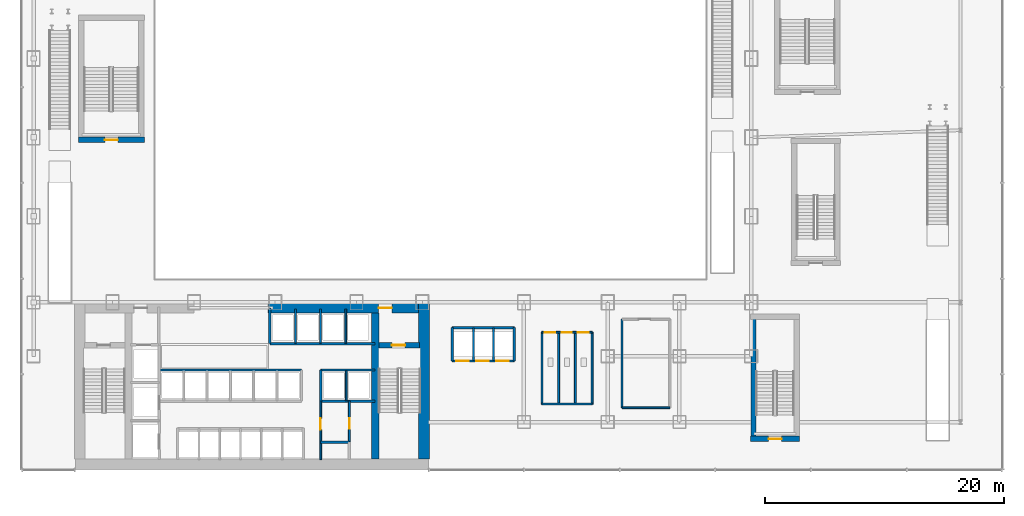
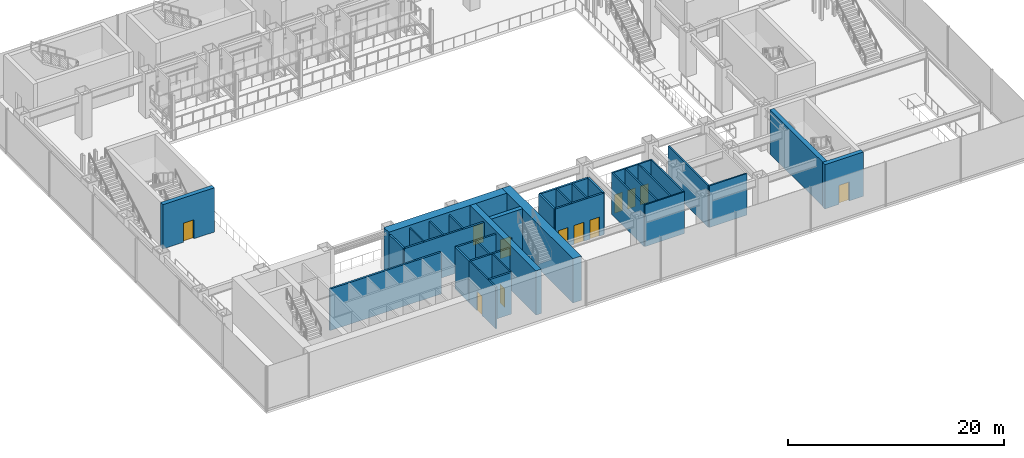
# One storey, part 29 of 40: 34 walls, 12 doors, 12 openings.
"""IFC4 building model written with IfcOpenShell, lengths in metres."""

from ifc_helpers import new_model, si_unit, derived_unit, direction, frame, frame_2d, origin, place, context, subcontext, project, spatial, rectangle, extrude, source, transform, mapped, material, layer, layer_set, type_object, element, fill, save


model = new_model("IFC4")

# Units and contexts
model_context = context("Model", 3, precision=1e-05, world=origin(), true_north=direction((0.0, 1.0)))
body_context = subcontext(model_context, "Body", "Model", "MODEL_VIEW")
ifc_project = project(units=[si_unit("LENGTHUNIT", "METRE"), si_unit("AREAUNIT", "SQUARE_METRE"), si_unit("VOLUMEUNIT", "CUBIC_METRE"), si_unit("PLANEANGLEUNIT", "RADIAN"), si_unit("MASSUNIT", "GRAM", prefix="KILO"), derived_unit("THERMALTRANSMITTANCEUNIT", [(si_unit("POWERUNIT", "WATT"), 1), (si_unit("LENGTHUNIT", "METRE"), -2), (si_unit("THERMODYNAMICTEMPERATUREUNIT", "KELVIN"), -1)])], contexts=[model_context])

# Site, building, storey
site_placement = place(None, origin())
site = spatial("IfcSite", under=ifc_project, at=site_placement, CompositionType="ELEMENT")
building_placement = place(site_placement, origin())
building = spatial("IfcBuilding", under=site, at=building_placement, Name="Skarnbrae Concourse Arena and Tower", CompositionType="ELEMENT")
storey_placement = place(building_placement, frame((0.0, 0.0, 6.0)))
storey = spatial("IfcBuildingStorey", under=building, at=storey_placement, Name="L01", CompositionType="ELEMENT", Elevation=6.0)

# Walls
ifc_material_1 = material(Name="Concrete 70 MPa (C70/85)", Category="concrete")
ifc_layer_1 = layer(ifc_material_1, 0.89990234375)
ifc_layer_set_1 = layer_set([ifc_layer_1], Name="Concrete 70 MPa (C70/85)")
wall_type_1 = type_object("IfcWallType", Name="WALL-CORE-900-C70", PredefinedType="SHEAR", material=ifc_layer_set_1)
shared_shape_1 = source(origin(), body_context, "Body", "SweptSolid", [
    extrude(rectangle(XDim=13.10009765625, YDim=0.89990234375, at=frame_2d((6.550048828125, 0.0))), origin(), (0.0, 0.0, 1.0), 5.0),
])
wall_1_placement = place(storey_placement, frame((33.64990234375, 0.89990234375, 0.0), z_axis=(0.0, 0.0, 1.0), x_axis=(0.0, 1.0, 0.0)))
element("IfcWall", 1, at=wall_1_placement, inside=storey, type_object=wall_type_1, Name="L01 Rear core shear wall CW-E", PredefinedType="SHEAR", context=body_context, shape_type="MappedRepresentation", body=[
    mapped(shared_shape_1, transform((0.0, 0.0, 0.0))),
])
ifc_layer_2 = layer(ifc_material_1, 0.60009765625)
ifc_layer_set_2 = layer_set([ifc_layer_2], Name="Concrete 70 MPa (C70/85)")
wall_type_2 = type_object("IfcWallType", Name="WALL-CORE-600-C70", PredefinedType="SHEAR", material=ifc_layer_set_2)
shared_shape_2 = source(origin(), body_context, "Body", "SweptSolid", [
    extrude(rectangle(XDim=12.2001953125, YDim=0.60009765625, at=frame_2d((6.10009765625, 0.0))), origin(), (0.0, 0.0, 1.0), 5.0),
])
wall_2_placement = place(storey_placement, frame((29.56005859375, 0.89990234375, 0.0), z_axis=(0.0, 0.0, 1.0), x_axis=(0.0, 1.0, 0.0)))
element("IfcWall", 2, at=wall_2_placement, inside=storey, type_object=wall_type_2, Name="L01 Rear core shear wall CW-WEB-E", PredefinedType="SHEAR", context=body_context, shape_type="MappedRepresentation", body=[
    mapped(shared_shape_2, transform((0.0, 0.0, 0.0))),
])

# Wall, opening, door
shared_shape_3 = source(origin(), body_context, "Body", "SweptSolid", [
    extrude(rectangle(XDim=12.599853515625, YDim=0.89990234375, at=frame_2d((6.2998046875, 0.0))), origin(), (0.0, 0.0, 1.0), 5.0),
])
wall_3_placement = place(storey_placement, frame((20.60009765625, 13.550048828125, 0.0), z_axis=(0.0, 0.0, 1.0), x_axis=(1.0, 0.0, 0.0)))
wall_3 = element("IfcWall", 3, at=wall_3_placement, inside=storey, type_object=wall_type_1, Name="L01 Rear core shear wall CW-NE", PredefinedType="SHEAR", context=body_context, shape_type="MappedRepresentation", body=[
    mapped(shared_shape_3, transform((0.0, 0.0, 0.0))),
])
opening_1_placement = place(wall_3_placement, frame((9.25, 0.0, 0.0)))
opening_1 = element("IfcOpeningElement", 4, at=opening_1_placement, cuts=wall_3, Name="Opening DT-03", PredefinedType="OPENING", context=body_context, shape_type="SweptSolid", body=[
    extrude(rectangle(XDim=1.10009765625, YDim=2.14990234375, at=frame_2d((0.550048828125, 1.074951171875))), frame((0.0, 0.4599609375, 0.0), z_axis=(0.0, -1.0, 0.0), x_axis=(1.0, 0.0, 0.0)), (0.0, 0.0, 1.0), 0.919921875),
])
ifc_material_2 = material(Name="Steel CSA G40.21 350W", Category="steel")
door_type_1 = type_object("IfcDoorType", Name="DOOR-FIRE-1100-90M", OperationType="NOTDEFINED", PredefinedType="DOOR", material=ifc_material_2)
shared_shape_4 = source(origin(), body_context, "Body", "SweptSolid", [
    extrude(rectangle(XDim=1.10009765625, YDim=2.14990234375, at=frame_2d((0.550048828125, 1.074951171875))), frame((0.0, 0.02490234375, 0.0), z_axis=(0.0, -1.0, 0.0), x_axis=(1.0, 0.0, 0.0)), (0.0, 0.0, 1.0), 0.050048828125),
])
door_1_placement = place(opening_1_placement, origin())
door_1 = element("IfcDoor", 5, at=door_1_placement, inside=storey, type_object=door_type_1, Name="D-0202 Stair ST-2 Vestibule Door", OperationType="SINGLE_SWING_LEFT", OverallHeight=2.14990234375, OverallWidth=1.10009765625, PredefinedType="DOOR", context=body_context, shape_type="MappedRepresentation", body=[
    mapped(shared_shape_4, transform((0.0, 0.0, 0.0))),
])
fill(opening_1, door_1)

ifc_material_3 = material(Name="Concrete 50 MPa (C50/60)", Category="concrete")
ifc_layer_3 = layer(ifc_material_3, 0.449951171875)
ifc_layer_set_3 = layer_set([ifc_layer_3], Name="Concrete 50 MPa (C50/60)")
wall_type_3 = type_object("IfcWallType", Name="WALL-CORE-450-C50", PredefinedType="SHEAR", material=ifc_layer_set_3)
shared_shape_5 = source(origin(), body_context, "Body", "SweptSolid", [
    extrude(rectangle(XDim=3.389892578125, YDim=0.449951171875, at=frame_2d((1.69482421875, 0.0))), origin(), (0.0, 0.0, 1.0), 5.0),
])
wall_4_placement = place(storey_placement, frame((29.860107421875, 10.419921875, 0.0), z_axis=(0.0, 0.0, 1.0), x_axis=(1.0, 0.0, 0.0)))
wall_4 = element("IfcWall", 6, at=wall_4_placement, inside=storey, type_object=wall_type_3, Name="L01 Rear core shear wall CW-ST2-N", PredefinedType="SHEAR", context=body_context, shape_type="MappedRepresentation", body=[
    mapped(shared_shape_5, transform((0.0, 0.0, 0.0))),
])
opening_2_placement = place(wall_4_placement, frame((1.10009765625, 0.0, 0.0)))
opening_2 = element("IfcOpeningElement", 7, at=opening_2_placement, cuts=wall_4, Name="Opening DT-03", PredefinedType="OPENING", context=body_context, shape_type="SweptSolid", body=[
    extrude(rectangle(XDim=1.10009765625, YDim=2.14990234375, at=frame_2d((0.550048828125, 1.074951171875))), frame((0.0, 0.23486328125, 0.0), z_axis=(0.0, -1.0, 0.0), x_axis=(1.0, 0.0, 0.0)), (0.0, 0.0, 1.0), 0.469970703125),
])
door_2_placement = place(opening_2_placement, frame((1.10009765625, 0.0, 0.0), z_axis=(0.0, 0.0, 1.0), x_axis=(-1.0, 0.0, 0.0)))
door_2 = element("IfcDoor", 8, at=door_2_placement, inside=storey, type_object=door_type_1, Name="D-0200 Stair ST-2 Door", OperationType="SINGLE_SWING_RIGHT", OverallHeight=2.14990234375, OverallWidth=1.10009765625, PredefinedType="DOOR", context=body_context, shape_type="MappedRepresentation", body=[
    mapped(shared_shape_4, transform((0.0, 0.0, 0.0))),
])
fill(opening_2, door_2)

shared_shape_6 = source(origin(), body_context, "Body", "SweptSolid", [
    extrude(rectangle(XDim=4.10009765625, YDim=0.449951171875, at=frame_2d((2.050048828125, 0.0))), origin(), (0.0, 0.0, 1.0), 5.0),
])
wall_5_placement = place(storey_placement, frame((60.949951171875, 2.594970703125, 0.0), z_axis=(0.0, 0.0, 1.0), x_axis=(1.0, 0.0, 0.0)))
wall_5 = element("IfcWall", 9, at=wall_5_placement, inside=storey, type_object=wall_type_3, Name="L01 Protected stair shaft wall ST-A1-S", PredefinedType="SHEAR", context=body_context, shape_type="MappedRepresentation", body=[
    mapped(shared_shape_6, transform((0.0, 0.0, 0.0))),
])
opening_3_placement = place(wall_5_placement, frame((1.5, 0.0, 0.0)))
opening_3 = element("IfcOpeningElement", 10, at=opening_3_placement, cuts=wall_5, Name="Opening DT-03", PredefinedType="OPENING", context=body_context, shape_type="SweptSolid", body=[
    extrude(rectangle(XDim=1.10009765625, YDim=2.14990234375, at=frame_2d((0.550048828125, 1.074951171875))), frame((0.0, 0.23486328125, 0.0), z_axis=(0.0, -1.0, 0.0), x_axis=(1.0, 0.0, 0.0)), (0.0, 0.0, 1.0), 0.469970703125),
])
door_3_placement = place(opening_3_placement, origin())
door_3 = element("IfcDoor", 11, at=door_3_placement, inside=storey, type_object=door_type_1, Name="D-0219 Exit Stair ST-A1 Door", OperationType="SINGLE_SWING_RIGHT", OverallHeight=2.14990234375, OverallWidth=1.10009765625, PredefinedType="DOOR", context=body_context, shape_type="MappedRepresentation", body=[
    mapped(shared_shape_4, transform((0.0, 0.0, 0.0))),
])
fill(opening_3, door_3)

# Wall
shared_shape_7 = source(origin(), body_context, "Body", "SweptSolid", [
    extrude(rectangle(XDim=9.800048828125, YDim=0.449951171875, at=frame_2d((4.89990234375, 0.0))), origin(), (0.0, 0.0, 1.0), 5.0),
])
wall_6_placement = place(storey_placement, frame((61.195068359375, 2.800048828125, 0.0), z_axis=(0.0, 0.0, 1.0), x_axis=(0.0, 1.0, 0.0)))
element("IfcWall", 12, at=wall_6_placement, inside=storey, type_object=wall_type_3, Name="L01 Protected stair shaft wall ST-A1-W", PredefinedType="SHEAR", context=body_context, shape_type="MappedRepresentation", body=[
    mapped(shared_shape_7, transform((0.0, 0.0, 0.0))),
])

# Wall, opening, door
shared_shape_8 = source(origin(), body_context, "Body", "SweptSolid", [
    extrude(rectangle(XDim=5.5, YDim=0.449951171875, at=frame_2d((2.75, 0.0))), origin(), (0.0, 0.0, 1.0), 5.0),
])
wall_7_placement = place(storey_placement, frame((4.75, 27.594970703125, 0.0), z_axis=(0.0, 0.0, 1.0), x_axis=(1.0, 0.0, 0.0)))
wall_7 = element("IfcWall", 13, at=wall_7_placement, inside=storey, type_object=wall_type_3, Name="L01 Protected stair shaft wall ST-A3-S", PredefinedType="SHEAR", context=body_context, shape_type="MappedRepresentation", body=[
    mapped(shared_shape_8, transform((0.0, 0.0, 0.0))),
])
opening_4_placement = place(wall_7_placement, frame((2.199951171875, 0.0, 0.0)))
opening_4 = element("IfcOpeningElement", 14, at=opening_4_placement, cuts=wall_7, Name="Opening DT-03", PredefinedType="OPENING", context=body_context, shape_type="SweptSolid", body=[
    extrude(rectangle(XDim=1.10009765625, YDim=2.14990234375, at=frame_2d((0.550048828125, 1.074951171875))), frame((0.0, 0.23486328125, 0.0), z_axis=(0.0, -1.0, 0.0), x_axis=(1.0, 0.0, 0.0)), (0.0, 0.0, 1.0), 0.469970703125),
])
door_4_placement = place(opening_4_placement, origin())
door_4 = element("IfcDoor", 15, at=door_4_placement, inside=storey, type_object=door_type_1, Name="D-0221 Exit Stair ST-A3 Door", OperationType="SINGLE_SWING_RIGHT", OverallHeight=2.14990234375, OverallWidth=1.10009765625, PredefinedType="DOOR", context=body_context, shape_type="MappedRepresentation", body=[
    mapped(shared_shape_4, transform((0.0, 0.0, 0.0))),
])
fill(opening_4, door_4)

# Walls
ifc_material_4 = material(Name="Gypsum board on cold-formed steel studs", Category="steel")
ifc_layer_4 = layer(ifc_material_4, 0.199951171875)
ifc_layer_set_4 = layer_set([ifc_layer_4], Name="Gypsum board on cold-formed steel studs")
wall_type_4 = type_object("IfcWallType", Name="WALL-PART-200-2HR", PredefinedType="PARTITIONING", material=ifc_layer_set_4)
shared_shape_9 = source(origin(), body_context, "Body", "SweptSolid", [
    extrude(rectangle(XDim=11.849853515625, YDim=0.199951171875, at=frame_2d((5.9248046875, 0.0))), origin(), (0.0, 0.0, 1.0), 4.699951171875),
])
wall_8_placement = place(storey_placement, frame((11.550048828125, 8.35009765625, 0.0), z_axis=(0.0, 0.0, 1.0), x_axis=(1.0, 0.0, 0.0)))
element("IfcWall", 16, at=wall_8_placement, inside=storey, type_object=wall_type_4, Name="L01 Interior partition wall W-L01-B2-N", PredefinedType="PARTITIONING", context=body_context, shape_type="MappedRepresentation", body=[
    mapped(shared_shape_9, transform((0.0, 0.0, 0.0))),
])
shared_shape_10 = source(origin(), body_context, "Body", "SweptSolid", [
    extrude(rectangle(XDim=2.60009765625, YDim=0.199951171875, at=frame_2d((1.300048828125, 0.0))), origin(), (0.0, 0.0, 1.0), 4.699951171875),
])
wall_9_placement = place(storey_placement, frame((25.0, 5.75, 0.0), z_axis=(0.0, 0.0, 1.0), x_axis=(0.0, 1.0, 0.0)))
element("IfcWall", 17, at=wall_9_placement, inside=storey, type_object=wall_type_4, Name="L01 Interior partition wall W-L01-B3S-W", PredefinedType="PARTITIONING", context=body_context, shape_type="MappedRepresentation", body=[
    mapped(shared_shape_10, transform((0.0, 0.0, 0.0))),
])

# Wall, opening, door
ifc_layer_5 = layer(ifc_material_4, 0.14990234375)
ifc_layer_set_5 = layer_set([ifc_layer_5], Name="Gypsum board on cold-formed steel studs")
wall_type_5 = type_object("IfcWallType", Name="WALL-PART-150-1HR", PredefinedType="PARTITIONING", material=ifc_layer_set_5)
shared_shape_11 = source(origin(), body_context, "Body", "SweptSolid", [
    extrude(rectangle(XDim=4.89990234375, YDim=0.14990234375, at=frame_2d((2.449951171875, 0.0))), origin(), (0.0, 0.0, 1.0), 4.699951171875),
])
wall_10_placement = place(storey_placement, frame((25.0, 0.85009765625, 0.0), z_axis=(0.0, 0.0, 1.0), x_axis=(0.0, 1.0, 0.0)))
wall_10 = element("IfcWall", 18, at=wall_10_placement, inside=storey, type_object=wall_type_5, Name="L01 Interior partition wall W-L01-CSV-W", PredefinedType="PARTITIONING", context=body_context, shape_type="MappedRepresentation", body=[
    mapped(shared_shape_11, transform((0.0, 0.0, 0.0))),
])
opening_5_placement = place(wall_10_placement, frame((2.5, 0.0, 0.0)))
opening_5 = element("IfcOpeningElement", 19, at=opening_5_placement, cuts=wall_10, Name="Opening DT-04", PredefinedType="OPENING", context=body_context, shape_type="SweptSolid", body=[
    extrude(rectangle(XDim=0.949951171875, YDim=2.14990234375, at=frame_2d((0.47509765625, 1.074951171875))), frame((0.0, 0.0849609375, 0.0), z_axis=(0.0, -1.0, 0.0), x_axis=(1.0, 0.0, 0.0)), (0.0, 0.0, 1.0), 0.169921875),
])
door_type_2 = type_object("IfcDoorType", Name="DOOR-INT-950-45M", OperationType="NOTDEFINED", PredefinedType="DOOR", material=ifc_material_2)
shared_shape_12 = source(origin(), body_context, "Body", "SweptSolid", [
    extrude(rectangle(XDim=0.949951171875, YDim=2.14990234375, at=frame_2d((0.47509765625, 1.074951171875))), frame((0.0, 0.02490234375, 0.0), z_axis=(0.0, -1.0, 0.0), x_axis=(1.0, 0.0, 0.0)), (0.0, 0.0, 1.0), 0.050048828125),
])
door_5_placement = place(opening_5_placement, origin())
door_5 = element("IfcDoor", 20, at=door_5_placement, inside=storey, type_object=door_type_2, Name="D-0206 Core Pantry Door", OperationType="SINGLE_SWING_RIGHT", OverallHeight=2.14990234375, OverallWidth=0.949951171875, PredefinedType="DOOR", context=body_context, shape_type="MappedRepresentation", body=[
    mapped(shared_shape_12, transform((0.0, 0.0, 0.0))),
])
fill(opening_5, door_5)

# Wall
shared_shape_13 = source(origin(), body_context, "Body", "SweptSolid", [
    extrude(rectangle(XDim=2.39990234375, YDim=0.199951171875, at=frame_2d((1.199951171875, 0.0))), origin(), (0.0, 0.0, 1.0), 4.699951171875),
])
wall_11_placement = place(storey_placement, frame((25.0, 2.300048828125, 0.0), z_axis=(0.0, 0.0, 1.0), x_axis=(1.0, 0.0, 0.0)))
element("IfcWall", 21, at=wall_11_placement, inside=storey, type_object=wall_type_4, Name="L01 Interior partition wall W-L01-MEP-N", PredefinedType="PARTITIONING", context=body_context, shape_type="MappedRepresentation", body=[
    mapped(shared_shape_13, transform((0.0, 0.0, 0.0))),
])

# Wall, openings, doors
shared_shape_14 = source(origin(), body_context, "Body", "SweptSolid", [
    extrude(rectangle(XDim=5.199951171875, YDim=0.199951171875, at=frame_2d((2.60009765625, 0.0))), origin(), (0.0, 0.0, 1.0), 4.699951171875),
])
wall_12_placement = place(storey_placement, frame((36.0, 9.10009765625, 0.0), z_axis=(0.0, 0.0, 1.0), x_axis=(1.0, 0.0, 0.0)))
wall_12 = element("IfcWall", 22, at=wall_12_placement, inside=storey, type_object=wall_type_4, Name="L01 Interior partition wall W-L01-PLP-S", PredefinedType="PARTITIONING", context=body_context, shape_type="MappedRepresentation", body=[
    mapped(shared_shape_14, transform((0.0, 0.0, 0.0))),
])
opening_6_placement = place(wall_12_placement, frame((0.320068359375, 0.0, 0.0)))
opening_6 = element("IfcOpeningElement", 23, at=opening_6_placement, cuts=wall_12, Name="Opening LD-03", PredefinedType="OPENING", context=body_context, shape_type="SweptSolid", body=[
    extrude(rectangle(XDim=1.050048828125, YDim=2.14990234375, at=frame_2d((0.52490234375, 1.074951171875))), frame((0.0, 0.10986328125, 0.0), z_axis=(0.0, -1.0, 0.0), x_axis=(1.0, 0.0, 0.0)), (0.0, 0.0, 1.0), 0.219970703125),
])
opening_7_placement = place(wall_12_placement, frame((2.0, 0.0, 0.0)))
opening_7 = element("IfcOpeningElement", 24, at=opening_7_placement, cuts=wall_12, Name="Opening LD-03", PredefinedType="OPENING", context=body_context, shape_type="SweptSolid", body=[
    extrude(rectangle(XDim=1.050048828125, YDim=2.14990234375, at=frame_2d((0.52490234375, 1.074951171875))), frame((0.0, 0.10986328125, 0.0), z_axis=(0.0, -1.0, 0.0), x_axis=(1.0, 0.0, 0.0)), (0.0, 0.0, 1.0), 0.219970703125),
])
opening_8_placement = place(wall_12_placement, frame((3.679931640625, 0.0, 0.0)))
opening_8 = element("IfcOpeningElement", 25, at=opening_8_placement, cuts=wall_12, Name="Opening LD-03", PredefinedType="OPENING", context=body_context, shape_type="SweptSolid", body=[
    extrude(rectangle(XDim=1.050048828125, YDim=2.14990234375, at=frame_2d((0.52490234375, 1.074951171875))), frame((0.0, 0.10986328125, 0.0), z_axis=(0.0, -1.0, 0.0), x_axis=(1.0, 0.0, 0.0)), (0.0, 0.0, 1.0), 0.219970703125),
])
ifc_material_5 = material(Name="Bronze anodised aluminium 6063-T6", Category="aluminium")
door_type_3 = type_object("IfcDoorType", Name="DOOR-LIFT-SLIDE-1050", OperationType="SLIDING_TO_LEFT", PredefinedType="DOOR", material=ifc_material_5)
shared_shape_15 = source(origin(), body_context, "Body", "SweptSolid", [
    extrude(rectangle(XDim=1.050048828125, YDim=2.14990234375, at=frame_2d((0.52490234375, 1.074951171875))), frame((0.0, 0.02490234375, 0.0), z_axis=(0.0, -1.0, 0.0), x_axis=(1.0, 0.0, 0.0)), (0.0, 0.0, 1.0), 0.050048828125),
])
door_6_placement = place(opening_6_placement, frame((1.050048828125, 0.0, 0.0), z_axis=(0.0, 0.0, 1.0), x_axis=(-1.0, 0.0, 0.0)))
door_6 = element("IfcDoor", 26, at=door_6_placement, inside=storey, type_object=door_type_3, Name="D-0208 Transit Lift Landing Door PL-P1", OperationType="SLIDING_TO_LEFT", OverallHeight=2.14990234375, OverallWidth=1.050048828125, PredefinedType="DOOR", context=body_context, shape_type="MappedRepresentation", body=[
    mapped(shared_shape_15, transform((0.0, 0.0, 0.0))),
])
fill(opening_6, door_6)
door_7_placement = place(opening_7_placement, frame((1.050048828125, 0.0, 0.0), z_axis=(0.0, 0.0, 1.0), x_axis=(-1.0, 0.0, 0.0)))
door_7 = element("IfcDoor", 27, at=door_7_placement, inside=storey, type_object=door_type_3, Name="D-0209 Transit Lift Landing Door PL-P2", OperationType="SLIDING_TO_LEFT", OverallHeight=2.14990234375, OverallWidth=1.050048828125, PredefinedType="DOOR", context=body_context, shape_type="MappedRepresentation", body=[
    mapped(shared_shape_15, transform((0.0, 0.0, 0.0))),
])
fill(opening_7, door_7)
door_8_placement = place(opening_8_placement, frame((1.050048828125, 0.0, 0.0), z_axis=(0.0, 0.0, 1.0), x_axis=(-1.0, 0.0, 0.0)))
door_8 = element("IfcDoor", 28, at=door_8_placement, inside=storey, type_object=door_type_3, Name="D-0210 Transit Lift Landing Door PL-P3", OperationType="SLIDING_TO_LEFT", OverallHeight=2.14990234375, OverallWidth=1.050048828125, PredefinedType="DOOR", context=body_context, shape_type="MappedRepresentation", body=[
    mapped(shared_shape_15, transform((0.0, 0.0, 0.0))),
])
fill(opening_8, door_8)

# Walls
wall_13_placement = place(storey_placement, frame((36.0, 11.89990234375, 0.0), z_axis=(0.0, 0.0, 1.0), x_axis=(1.0, 0.0, 0.0)))
element("IfcWall", 29, at=wall_13_placement, inside=storey, type_object=wall_type_4, Name="L01 Interior partition wall W-L01-PLP-N", PredefinedType="PARTITIONING", context=body_context, shape_type="MappedRepresentation", body=[
    mapped(shared_shape_14, transform((0.0, 0.0, 0.0))),
])
shared_shape_16 = source(origin(), body_context, "Body", "SweptSolid", [
    extrude(rectangle(XDim=2.7998046875, YDim=0.199951171875, at=frame_2d((1.39990234375, 0.0))), origin(), (0.0, 0.0, 1.0), 4.699951171875),
])
for number, where, z_axis, x_axis, name in (
    (30, (36.0, 9.10009765625, 0.0), (0.0, 0.0, 1.0), (0.0, 1.0, 0.0), "L01 Interior partition wall W-L01-PLP-W"),
    (31, (41.199951171875, 9.10009765625, 0.0), (0.0, 0.0, 1.0), (0.0, 1.0, 0.0), "L01 Interior partition wall W-L01-PLP-E"),
):
    element("IfcWall", number, at=place(storey_placement, frame(where, z_axis=z_axis, x_axis=x_axis)), inside=storey, type_object=wall_type_4, Name=name, PredefinedType="PARTITIONING", context=body_context, shape_type="MappedRepresentation", body=[
        mapped(shared_shape_16, transform((0.0, 0.0, 0.0))),
    ])
ifc_layer_6 = layer(ifc_material_4, 0.14990234375)
ifc_layer_set_6 = layer_set([ifc_layer_6], Name="Gypsum board on cold-formed steel studs")
wall_type_6 = type_object("IfcWallType", Name="WALL-PART-150", PredefinedType="PARTITIONING", material=ifc_layer_set_6)
shared_shape_17 = source(origin(), body_context, "Body", "SweptSolid", [
    extrude(rectangle(XDim=2.7001953125, YDim=0.14990234375, at=frame_2d((1.35009765625, 0.0))), origin(), (0.0, 0.0, 1.0), 4.699951171875),
])
for number, where, z_axis, x_axis, name in (
    (32, (37.780029296875, 9.14990234375, 0.0), (0.0, 0.0, 1.0), (0.0, 1.0, 0.0), "L01 Interior partition wall W-L01-PLP-D1"),
    (33, (39.4599609375, 9.14990234375, 0.0), (0.0, 0.0, 1.0), (0.0, 1.0, 0.0), "L01 Interior partition wall W-L01-PLP-D2"),
):
    element("IfcWall", number, at=place(storey_placement, frame(where, z_axis=z_axis, x_axis=x_axis)), inside=storey, type_object=wall_type_6, Name=name, PredefinedType="PARTITIONING", context=body_context, shape_type="MappedRepresentation", body=[
        mapped(shared_shape_17, transform((0.0, 0.0, 0.0))),
    ])
shared_shape_18 = source(origin(), body_context, "Body", "SweptSolid", [
    extrude(rectangle(XDim=2.5, YDim=0.14990234375, at=frame_2d((1.25, 0.0))), origin(), (0.0, 0.0, 1.0), 4.699951171875),
])
wall_14_placement = place(storey_placement, frame((27.139892578125, 5.800048828125, 0.0), z_axis=(0.0, 0.0, 1.0), x_axis=(0.0, 1.0, 0.0)))
element("IfcWall", 34, at=wall_14_placement, inside=storey, type_object=wall_type_6, Name="L01 Interior partition wall W-L01-B3S-P1", PredefinedType="PARTITIONING", context=body_context, shape_type="MappedRepresentation", body=[
    mapped(shared_shape_18, transform((0.0, 0.0, 0.0))),
])
shared_shape_19 = source(origin(), body_context, "Body", "SweptSolid", [
    extrude(rectangle(XDim=8.800048828125, YDim=0.199951171875, at=frame_2d((4.39990234375, 0.0))), origin(), (0.0, 0.0, 1.0), 4.699951171875),
])
wall_15_placement = place(storey_placement, frame((20.75, 10.550048828125, 0.0), z_axis=(0.0, 0.0, 1.0), x_axis=(1.0, 0.0, 0.0)))
element("IfcWall", 35, at=wall_15_placement, inside=storey, type_object=wall_type_4, Name="L01 Interior partition wall W-L01-B3N-S", PredefinedType="PARTITIONING", context=body_context, shape_type="MappedRepresentation", body=[
    mapped(shared_shape_19, transform((0.0, 0.0, 0.0))),
])
shared_shape_20 = source(origin(), body_context, "Body", "SweptSolid", [
    extrude(rectangle(XDim=3.0, YDim=0.199951171875, at=frame_2d((1.5, 0.0))), origin(), (0.0, 0.0, 1.0), 4.699951171875),
])
wall_16_placement = place(storey_placement, frame((20.75, 10.550048828125, 0.0), z_axis=(0.0, 0.0, 1.0), x_axis=(0.0, 1.0, 0.0)))
element("IfcWall", 36, at=wall_16_placement, inside=storey, type_object=wall_type_4, Name="L01 Interior partition wall W-L01-B3N-W", PredefinedType="PARTITIONING", context=body_context, shape_type="MappedRepresentation", body=[
    mapped(shared_shape_20, transform((0.0, 0.0, 0.0))),
])
shared_shape_21 = source(origin(), body_context, "Body", "SweptSolid", [
    extrude(rectangle(XDim=2.849853515625, YDim=0.14990234375, at=frame_2d((1.4248046875, 0.0))), origin(), (0.0, 0.0, 1.0), 4.699951171875),
])
for number, where, z_axis, x_axis, name in (
    (37, (22.889892578125, 10.60009765625, 0.0), (0.0, 0.0, 1.0), (0.0, 1.0, 0.0), "L01 Interior partition wall W-L01-B3N-P1"),
    (38, (24.989990234375, 10.60009765625, 0.0), (0.0, 0.0, 1.0), (0.0, 1.0, 0.0), "L01 Interior partition wall W-L01-B3N-P2"),
    (39, (27.090087890625, 10.60009765625, 0.0), (0.0, 0.0, 1.0), (0.0, 1.0, 0.0), "L01 Interior partition wall W-L01-B3N-P3"),
):
    element("IfcWall", number, at=place(storey_placement, frame(where, z_axis=z_axis, x_axis=x_axis)), inside=storey, type_object=wall_type_6, Name=name, PredefinedType="PARTITIONING", context=body_context, shape_type="MappedRepresentation", body=[
        mapped(shared_shape_21, transform((0.0, 0.0, 0.0))),
    ])
shared_shape_22 = source(origin(), body_context, "Body", "SweptSolid", [
    extrude(rectangle(XDim=4.550048828125, YDim=0.199951171875, at=frame_2d((2.27490234375, 0.0))), origin(), (0.0, 0.0, 1.0), 4.699951171875),
])
for number, where, z_axis, x_axis, name in (
    (40, (25.0, 8.35009765625, 0.0), (0.0, 0.0, 1.0), (1.0, 0.0, 0.0), "L01 Interior partition wall W-L01-B3S-N"),
    (41, (25.0, 5.75, 0.0), (0.0, 0.0, 1.0), (1.0, 0.0, 0.0), "L01 Interior partition wall W-L01-B3S-S"),
):
    element("IfcWall", number, at=place(storey_placement, frame(where, z_axis=z_axis, x_axis=x_axis)), inside=storey, type_object=wall_type_4, Name=name, PredefinedType="PARTITIONING", context=body_context, shape_type="MappedRepresentation", body=[
        mapped(shared_shape_22, transform((0.0, 0.0, 0.0))),
    ])

# Wall, opening, door
shared_shape_23 = source(origin(), body_context, "Body", "SweptSolid", [
    extrude(rectangle(XDim=3.39990234375, YDim=0.14990234375, at=frame_2d((1.699951171875, 0.0))), origin(), (0.0, 0.0, 1.0), 4.699951171875),
])
wall_17_placement = place(storey_placement, frame((27.39990234375, 2.35009765625, 0.0), z_axis=(0.0, 0.0, 1.0), x_axis=(0.0, 1.0, 0.0)))
wall_17 = element("IfcWall", 42, at=wall_17_placement, inside=storey, type_object=wall_type_6, Name="L01 Interior partition wall W-L01-CSV-V", PredefinedType="PARTITIONING", context=body_context, shape_type="MappedRepresentation", body=[
    mapped(shared_shape_23, transform((0.0, 0.0, 0.0))),
])
opening_9_placement = place(wall_17_placement, frame((1.10009765625, 0.0, 0.0)))
opening_9 = element("IfcOpeningElement", 43, at=opening_9_placement, cuts=wall_17, Name="Opening DT-06", PredefinedType="OPENING", context=body_context, shape_type="SweptSolid", body=[
    extrude(rectangle(XDim=0.85009765625, YDim=2.10009765625, at=frame_2d((0.425048828125, 1.050048828125))), frame((0.0, 0.0849609375, 0.0), z_axis=(0.0, -1.0, 0.0), x_axis=(1.0, 0.0, 0.0)), (0.0, 0.0, 1.0), 0.169921875),
])
ifc_material_6 = material(Name="Architectural oak veneer timber leaf", Category="wood")
door_type_4 = type_object("IfcDoorType", Name="DOOR-INT-850", OperationType="NOTDEFINED", PredefinedType="DOOR", material=ifc_material_6)
shared_shape_24 = source(origin(), body_context, "Body", "SweptSolid", [
    extrude(rectangle(XDim=0.85009765625, YDim=2.10009765625, at=frame_2d((0.425048828125, 1.050048828125))), frame((0.0, 0.02490234375, 0.0), z_axis=(0.0, -1.0, 0.0), x_axis=(1.0, 0.0, 0.0)), (0.0, 0.0, 1.0), 0.050048828125),
])
door_9_placement = place(opening_9_placement, frame((0.85009765625, 0.0, 0.0), z_axis=(0.0, 0.0, 1.0), x_axis=(-1.0, 0.0, 0.0)))
door_9 = element("IfcDoor", 44, at=door_9_placement, inside=storey, type_object=door_type_4, Name="D-0207 Supply Cupboard Door", OperationType="SINGLE_SWING_LEFT", OverallHeight=2.10009765625, OverallWidth=0.85009765625, PredefinedType="DOOR", context=body_context, shape_type="MappedRepresentation", body=[
    mapped(shared_shape_24, transform((0.0, 0.0, 0.0))),
])
fill(opening_9, door_9)

# Wall, openings, doors
shared_shape_25 = source(origin(), body_context, "Body", "SweptSolid", [
    extrude(rectangle(XDim=4.199951171875, YDim=0.14990234375, at=frame_2d((2.10009765625, 0.0))), origin(), (0.0, 0.0, 1.0), 4.699951171875),
])
wall_18_placement = place(storey_placement, frame((43.5, 11.5, 0.0), z_axis=(0.0, 0.0, 1.0), x_axis=(1.0, 0.0, 0.0)))
wall_18 = element("IfcWall", 45, at=wall_18_placement, inside=storey, type_object=wall_type_6, Name="L01 Interior partition wall W-L01-PWC-N", PredefinedType="PARTITIONING", context=body_context, shape_type="MappedRepresentation", body=[
    mapped(shared_shape_25, transform((0.0, 0.0, 0.0))),
])
opening_10_placement = place(wall_18_placement, frame((0.25, 0.0, 0.0)))
opening_10 = element("IfcOpeningElement", 46, at=opening_10_placement, cuts=wall_18, Name="Opening DT-06", PredefinedType="OPENING", context=body_context, shape_type="SweptSolid", body=[
    extrude(rectangle(XDim=0.85009765625, YDim=2.10009765625, at=frame_2d((0.425048828125, 1.050048828125))), frame((0.0, 0.0849609375, 0.0), z_axis=(0.0, -1.0, 0.0), x_axis=(1.0, 0.0, 0.0)), (0.0, 0.0, 1.0), 0.169921875),
])
opening_11_placement = place(wall_18_placement, frame((1.64990234375, 0.0, 0.0)))
opening_11 = element("IfcOpeningElement", 47, at=opening_11_placement, cuts=wall_18, Name="Opening DT-06", PredefinedType="OPENING", context=body_context, shape_type="SweptSolid", body=[
    extrude(rectangle(XDim=0.85009765625, YDim=2.10009765625, at=frame_2d((0.425048828125, 1.050048828125))), frame((0.0, 0.0849609375, 0.0), z_axis=(0.0, -1.0, 0.0), x_axis=(1.0, 0.0, 0.0)), (0.0, 0.0, 1.0), 0.169921875),
])
opening_12_placement = place(wall_18_placement, frame((3.0, 0.0, 0.0)))
opening_12 = element("IfcOpeningElement", 48, at=opening_12_placement, cuts=wall_18, Name="Opening DT-05", PredefinedType="OPENING", context=body_context, shape_type="SweptSolid", body=[
    extrude(rectangle(XDim=0.89990234375, YDim=2.10009765625, at=frame_2d((0.449951171875, 1.050048828125))), frame((0.0, 0.0849609375, 0.0), z_axis=(0.0, -1.0, 0.0), x_axis=(1.0, 0.0, 0.0)), (0.0, 0.0, 1.0), 0.169921875),
])
door_10_placement = place(opening_10_placement, frame((0.85009765625, 0.0, 0.0), z_axis=(0.0, 0.0, 1.0), x_axis=(-1.0, 0.0, 0.0)))
door_10 = element("IfcDoor", 49, at=door_10_placement, inside=storey, type_object=door_type_4, Name="D-0211 Public Male WC Door", OperationType="SINGLE_SWING_LEFT", OverallHeight=2.10009765625, OverallWidth=0.85009765625, PredefinedType="DOOR", context=body_context, shape_type="MappedRepresentation", body=[
    mapped(shared_shape_24, transform((0.0, 0.0, 0.0))),
])
fill(opening_10, door_10)
door_11_placement = place(opening_11_placement, frame((0.85009765625, 0.0, 0.0), z_axis=(0.0, 0.0, 1.0), x_axis=(-1.0, 0.0, 0.0)))
door_11 = element("IfcDoor", 50, at=door_11_placement, inside=storey, type_object=door_type_4, Name="D-0212 Public Female WC Door", OperationType="SINGLE_SWING_RIGHT", OverallHeight=2.10009765625, OverallWidth=0.85009765625, PredefinedType="DOOR", context=body_context, shape_type="MappedRepresentation", body=[
    mapped(shared_shape_24, transform((0.0, 0.0, 0.0))),
])
fill(opening_11, door_11)
door_type_5 = type_object("IfcDoorType", Name="DOOR-INT-900", OperationType="NOTDEFINED", PredefinedType="DOOR", material=ifc_material_6)
shared_shape_26 = source(origin(), body_context, "Body", "SweptSolid", [
    extrude(rectangle(XDim=0.89990234375, YDim=2.10009765625, at=frame_2d((0.449951171875, 1.050048828125))), frame((0.0, 0.02490234375, 0.0), z_axis=(0.0, -1.0, 0.0), x_axis=(1.0, 0.0, 0.0)), (0.0, 0.0, 1.0), 0.050048828125),
])
door_12_placement = place(opening_12_placement, frame((0.89990234375, 0.0, 0.0), z_axis=(0.0, 0.0, 1.0), x_axis=(-1.0, 0.0, 0.0)))
door_12 = element("IfcDoor", 51, at=door_12_placement, inside=storey, type_object=door_type_5, Name="D-0213 Public Accessible WC Door", OperationType="SINGLE_SWING_LEFT", OverallHeight=2.10009765625, OverallWidth=0.89990234375, PredefinedType="DOOR", context=body_context, shape_type="MappedRepresentation", body=[
    mapped(shared_shape_26, transform((0.0, 0.0, 0.0))),
])
fill(opening_12, door_12)

# Walls
wall_19_placement = place(storey_placement, frame((43.5, 5.5, 0.0), z_axis=(0.0, 0.0, 1.0), x_axis=(1.0, 0.0, 0.0)))
element("IfcWall", 52, at=wall_19_placement, inside=storey, type_object=wall_type_6, Name="L01 Interior partition wall W-L01-PWC-S", PredefinedType="PARTITIONING", context=body_context, shape_type="MappedRepresentation", body=[
    mapped(shared_shape_25, transform((0.0, 0.0, 0.0))),
])
shared_shape_27 = source(origin(), body_context, "Body", "SweptSolid", [
    extrude(rectangle(XDim=6.0, YDim=0.14990234375, at=frame_2d((3.0, 0.0))), origin(), (0.0, 0.0, 1.0), 4.699951171875),
])
for number, where, z_axis, x_axis, name in (
    (53, (43.5, 5.5, 0.0), (0.0, 0.0, 1.0), (0.0, 1.0, 0.0), "L01 Interior partition wall W-L01-PWC-W"),
    (54, (47.699951171875, 5.5, 0.0), (0.0, 0.0, 1.0), (0.0, 1.0, 0.0), "L01 Interior partition wall W-L01-PWC-E"),
    (55, (44.89990234375, 5.5, 0.0), (0.0, 0.0, 1.0), (0.0, 1.0, 0.0), "L01 Interior partition wall W-L01-PWC-D1"),
    (56, (46.300048828125, 5.5, 0.0), (0.0, 0.0, 1.0), (0.0, 1.0, 0.0), "L01 Interior partition wall W-L01-PWC-D2"),
):
    element("IfcWall", number, at=place(storey_placement, frame(where, z_axis=z_axis, x_axis=x_axis)), inside=storey, type_object=wall_type_6, Name=name, PredefinedType="PARTITIONING", context=body_context, shape_type="MappedRepresentation", body=[
        mapped(shared_shape_27, transform((0.0, 0.0, 0.0))),
    ])
shared_shape_28 = source(origin(), body_context, "Body", "SweptSolid", [
    extrude(rectangle(XDim=4.0, YDim=0.14990234375, at=frame_2d((2.0, 0.0))), origin(), (0.0, 0.0, 1.0), 4.699951171875),
])
wall_20_placement = place(storey_placement, frame((50.199951171875, 5.199951171875, 0.0), z_axis=(0.0, 0.0, 1.0), x_axis=(1.0, 0.0, 0.0)))
element("IfcWall", 57, at=wall_20_placement, inside=storey, type_object=wall_type_5, Name="L01 Interior partition wall W-L01-CAT-S", PredefinedType="PARTITIONING", context=body_context, shape_type="MappedRepresentation", body=[
    mapped(shared_shape_28, transform((0.0, 0.0, 0.0))),
])
shared_shape_29 = source(origin(), body_context, "Body", "SweptSolid", [
    extrude(rectangle(XDim=7.400146484375, YDim=0.14990234375, at=frame_2d((3.7001953125, 0.0))), origin(), (0.0, 0.0, 1.0), 4.699951171875),
])
wall_21_placement = place(storey_placement, frame((50.199951171875, 5.199951171875, 0.0), z_axis=(0.0, 0.0, 1.0), x_axis=(0.0, 1.0, 0.0)))
element("IfcWall", 58, at=wall_21_placement, inside=storey, type_object=wall_type_5, Name="L01 Interior partition wall W-L01-CAT-W", PredefinedType="PARTITIONING", context=body_context, shape_type="MappedRepresentation", body=[
    mapped(shared_shape_29, transform((0.0, 0.0, 0.0))),
])

save(model, "model.ifc")
